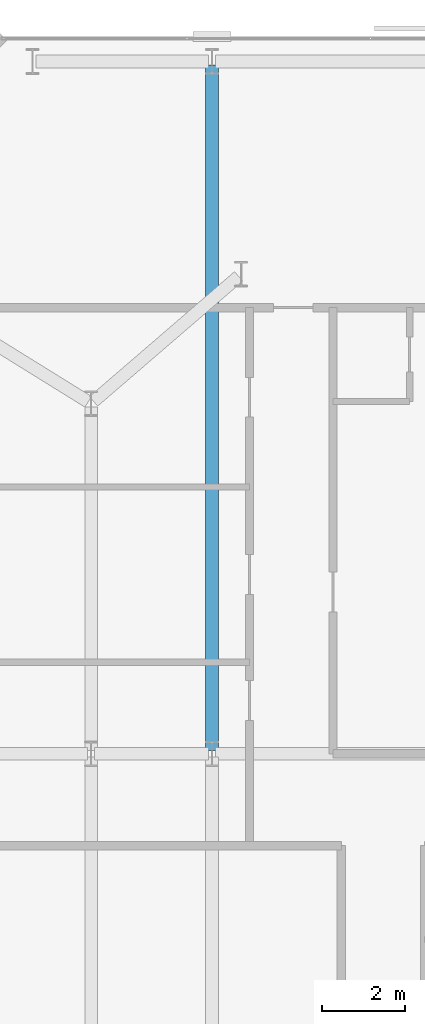
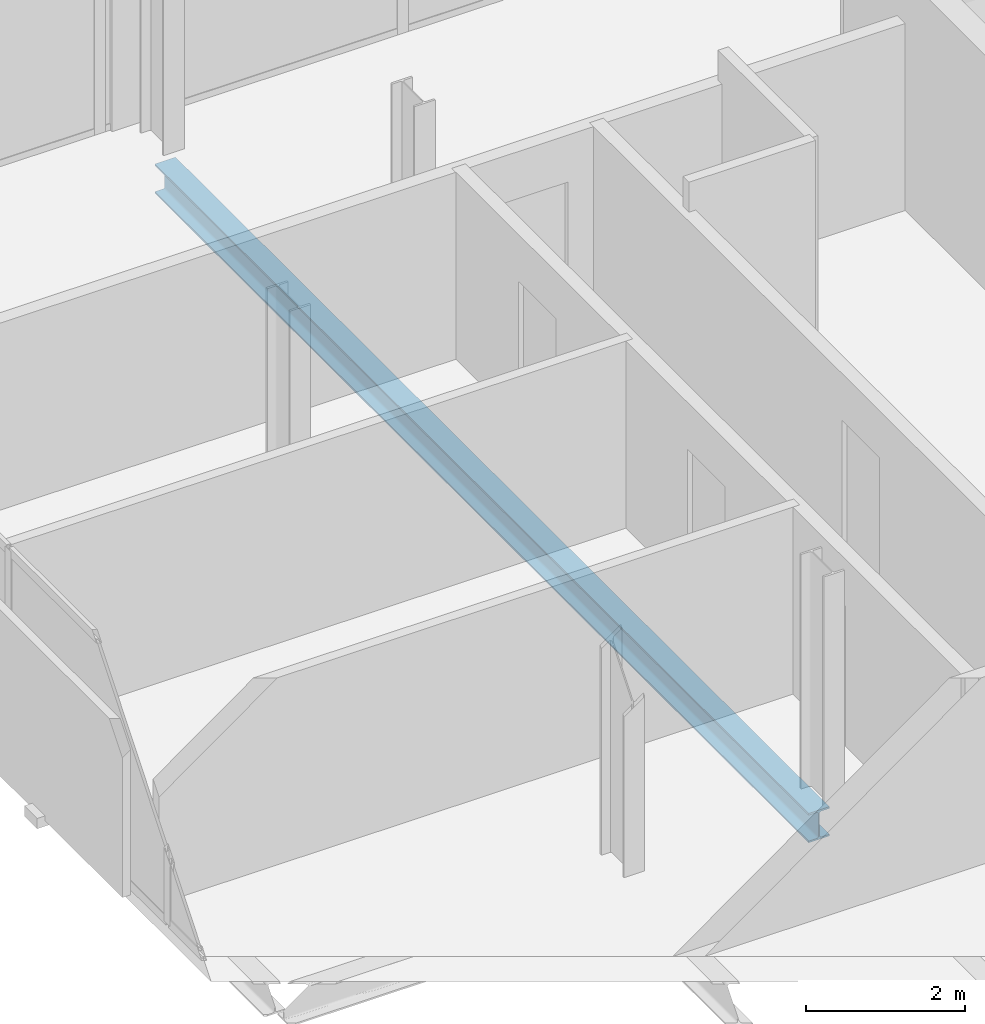
# One storey, part 18 of 33: 1 beam.
"""IFC4 building model written with IfcOpenShell, lengths in metres."""

from ifc_helpers import new_model, si_unit, direction, frame, origin, origin_2d, place, context, subcontext, project, spatial, i_section, extrude, material, material_profile, profile_set, type_object, element, save


model = new_model("IFC4")

# Units and contexts
model_context = context("Model", 3, precision=1e-05, world=origin(), true_north=direction((0.0, 1.0)))
body_context = subcontext(model_context, "Body", "Model", "MODEL_VIEW")
ifc_project = project(units=[si_unit("LENGTHUNIT", "METRE"), si_unit("AREAUNIT", "SQUARE_METRE"), si_unit("VOLUMEUNIT", "CUBIC_METRE"), si_unit("PLANEANGLEUNIT", "RADIAN"), si_unit("MASSUNIT", "GRAM", prefix="KILO")], contexts=[model_context])

# Site, building, storey
site_placement = place(None, origin())
site = spatial("IfcSite", under=ifc_project, at=site_placement, CompositionType="ELEMENT")
building_placement = place(site_placement, origin())
building = spatial("IfcBuilding", under=site, at=building_placement, Name="Catumbela Crestline Tower", CompositionType="ELEMENT")
storey_placement = place(building_placement, frame((0.0, 0.0, 118.8)))
storey = spatial("IfcBuildingStorey", under=building, at=storey_placement, Name="L30", CompositionType="ELEMENT", Elevation=118.8)

# Beam
ifc_material = material(Name="Structural steel S355J2", Category="steel")
ifc_material_profile = material_profile(ifc_material, i_section(OverallWidth=0.3, OverallDepth=0.45, WebThickness=0.014, FlangeThickness=0.026, FilletRadius=0.027, at=origin_2d()), Name="HEB 450")
ifc_profile_set = profile_set([ifc_material_profile], Name="Structural steel S355J2")
beam_type = type_object("IfcBeamType", Name="BG-HEB450", PredefinedType="BEAM", material=ifc_profile_set)
beam_placement = place(storey_placement, frame((8.5, 30.88, -0.485), z_axis=(0.0, 1.0, 0.0), x_axis=(-1.0, 0.0, 0.0)))
element("IfcBeam", 1, at=beam_placement, inside=storey, type_object=beam_type, Name="L30 Beam BM-L30-SN27", PredefinedType="BEAM", context=body_context, shape_type="SweptSolid", body=[
    extrude(i_section(OverallWidth=0.3, OverallDepth=0.45, WebThickness=0.014, FlangeThickness=0.026, FilletRadius=0.027, at=origin_2d()), origin(), (0.0, 0.0, 1.0), 16.44),
])

save(model, "model.ifc")
